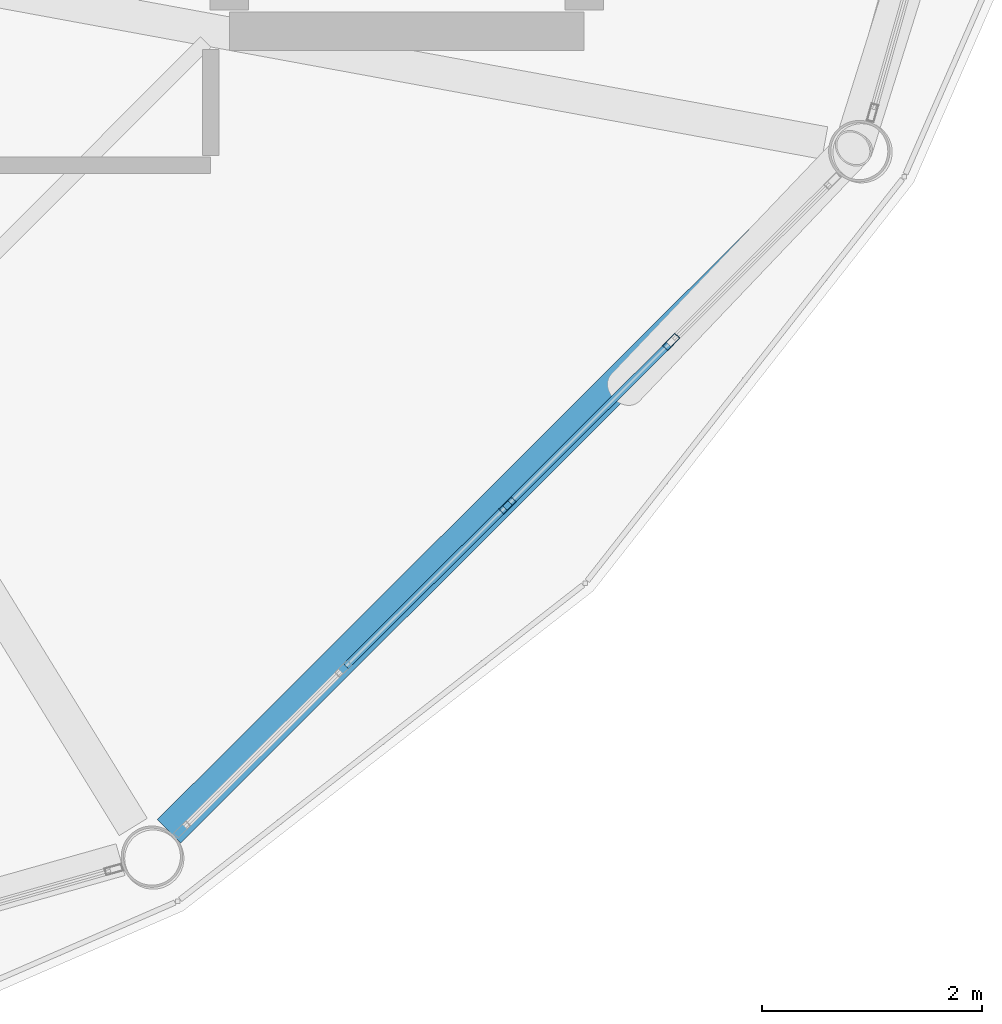
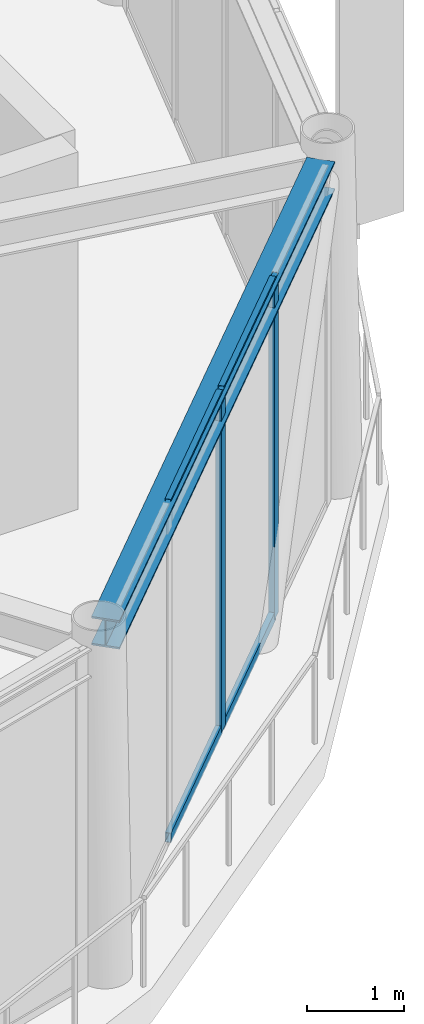
# One storey, part 9 of 26: 6 members, 1 beam, 1 element without a shape of its own.
"""IFC4 building model written with IfcOpenShell, lengths in metres."""

from ifc_helpers import new_model, si_unit, direction, frame, origin, origin_2d, place, context, subcontext, project, spatial, hollow_rectangle, i_section, extrude, material, layer, layer_set, material_profile, profile_set, type_object, element, aggregate, save


model = new_model("IFC4")

# Units and contexts
model_context = context("Model", 3, precision=1e-05, world=origin(), true_north=direction((0.0, 1.0)))
body_context = subcontext(model_context, "Body", "Model", "MODEL_VIEW")
ifc_project = project(units=[si_unit("LENGTHUNIT", "METRE"), si_unit("AREAUNIT", "SQUARE_METRE"), si_unit("VOLUMEUNIT", "CUBIC_METRE"), si_unit("PLANEANGLEUNIT", "RADIAN"), si_unit("MASSUNIT", "GRAM", prefix="KILO")], contexts=[model_context])

# Site, building, storey
site_placement = place(None, origin())
site = spatial("IfcSite", under=ifc_project, at=site_placement, CompositionType="ELEMENT")
building_placement = place(site_placement, origin())
building = spatial("IfcBuilding", under=site, at=building_placement, Name="Varnakorn Sky Granary", CompositionType="ELEMENT")
storey_placement = place(building_placement, frame((0.0, 0.0, 289.5)))
storey = spatial("IfcBuildingStorey", under=building, at=storey_placement, Name="L74", CompositionType="ELEMENT", Elevation=289.5)

# Beam
ifc_material_1 = material(Name="Steel S355JR", Category="steel")
ifc_material_profile_1 = material_profile(ifc_material_1, i_section(OverallWidth=0.300048828125, OverallDepth=0.360107421875, WebThickness=0.012451171875, FlangeThickness=0.0224609375, at=origin_2d()), Name="HE 360 B")
ifc_profile_set_1 = profile_set([ifc_material_profile_1], Name="Steel S355JR")
beam_type = type_object("IfcBeamType", Name="BM-SPD-Z5", PredefinedType="SPANDREL", material=ifc_profile_set_1)
beam_placement = place(storey_placement, frame((13.8017578125, -14.96337890625, 4.080078125), z_axis=(0.7078214775, 0.706391361774, 0.0), x_axis=(-0.706391361774, 0.7078214775, 0.0)))
element("IfcBeam", 1, at=beam_placement, inside=storey, type_object=beam_type, Name="Perimeter Spandrel Ring Beam RB11 L74", PredefinedType="SPANDREL", context=body_context, shape_type="SweptSolid", body=[
    extrude(i_section(OverallWidth=0.300048828125, OverallDepth=0.360107421875, WebThickness=0.012451171875, FlangeThickness=0.0224609375, at=origin_2d()), origin(), (0.0, 0.0, 1.0), 8.53564453125),
])

# Curtain wall, members
ifc_material_2 = material(Name="Anodised Bronze Aluminium Alloy 6063-T6", Category="aluminium")
ifc_layer = layer(ifc_material_2, 0.159912109375, Name="Anodised Bronze Aluminium Alloy 6063-T6")
ifc_layer_set = layer_set([ifc_layer], Name="Anodised Bronze Aluminium Alloy 6063-T6")
curtain_wall_type = type_object("IfcCurtainWallType", Name="CW-OFF-1", PredefinedType="USERDEFINED", material=ifc_layer_set)
curtain_wall_placement = place(storey_placement, origin())
curtain_wall = element("IfcCurtainWall", 2, at=curtain_wall_placement, inside=storey, type_object=curtain_wall_type, Name="Unitised Curtain Wall CW6 CW-L74-B11", ObjectType="CURTAIN WALL", PredefinedType="USERDEFINED")
ifc_material_profile_2 = material_profile(ifc_material_2, hollow_rectangle(XDim=0.06494140625, YDim=0.159912109375, WallThickness=0.00341796875, at=origin_2d()), Name="ALU MULL 65x160")
ifc_profile_set_2 = profile_set([ifc_material_profile_2], Name="Anodised Bronze Aluminium Alloy 6063-T6")
member_type_1 = type_object("IfcMemberType", Name="CW-OFF-1-MULL", PredefinedType="MULLION", material=ifc_profile_set_2)
member_1_placement = place(storey_placement, frame((18.373046875, -10.509765625, 0.0), z_axis=(0.0, 0.0, 1.0), x_axis=(0.706103251086, -0.708108889088, 0.0)))
member_1 = element("IfcMember", 3, at=member_1_placement, type_object=member_type_1, Name="CW6 mullion 2", PredefinedType="MULLION", context=body_context, shape_type="SweptSolid", body=[
    extrude(hollow_rectangle(XDim=0.06494140625, YDim=0.159912109375, WallThickness=0.00341796875, at=origin_2d()), origin(), (0.0, 0.0, 1.0), 4.260009765625),
])
member_2_placement = place(storey_placement, frame((16.88134765625, -11.9970703125, 0.0), z_axis=(0.0, 0.0, 1.0), x_axis=(0.706103251086, -0.708108889088, 0.0)))
member_2 = element("IfcMember", 4, at=member_2_placement, type_object=member_type_1, Name="CW6 mullion 3", PredefinedType="MULLION", context=body_context, shape_type="SweptSolid", body=[
    extrude(hollow_rectangle(XDim=0.06494140625, YDim=0.159912109375, WallThickness=0.00341796875, at=origin_2d()), origin(), (0.0, 0.0, 1.0), 4.260009765625),
])
ifc_material_profile_3 = material_profile(ifc_material_2, hollow_rectangle(XDim=0.06494140625, YDim=0.1201171875, WallThickness=0.00341796875, at=origin_2d()), Name="ALU TRAN 65x120")
ifc_profile_set_3 = profile_set([ifc_material_profile_3], Name="Anodised Bronze Aluminium Alloy 6063-T6")
member_type_2 = type_object("IfcMemberType", Name="CW-OFF-1-TRAN", PredefinedType="USERDEFINED", material=ifc_profile_set_3)
member_3_placement = place(storey_placement, frame((18.349853515625, -10.53271484375, 0.032470703125), z_axis=(-0.70812260885, -0.706089492087, 0.0), x_axis=(0.706089492087, -0.70812260885, 0.0)))
member_3 = element("IfcMember", 5, at=member_3_placement, type_object=member_type_2, Name="CW6 transom 2.1", ObjectType="TRANSOM", PredefinedType="USERDEFINED", context=body_context, shape_type="SweptSolid", body=[
    extrude(hollow_rectangle(XDim=0.06494140625, YDim=0.1201171875, WallThickness=0.00341796875, at=origin_2d()), origin(), (0.0, 0.0, 1.0), 2.04150390625),
])
member_4_placement = place(storey_placement, frame((18.349853515625, -10.53271484375, 4.2275390625), z_axis=(-0.70812260885, -0.706089492087, 0.0), x_axis=(0.706089492087, -0.70812260885, 0.0)))
member_4 = element("IfcMember", 6, at=member_4_placement, type_object=member_type_2, Name="CW6 transom 2.2", ObjectType="TRANSOM", PredefinedType="USERDEFINED", context=body_context, shape_type="SweptSolid", body=[
    extrude(hollow_rectangle(XDim=0.06494140625, YDim=0.1201171875, WallThickness=0.00341796875, at=origin_2d()), origin(), (0.0, 0.0, 1.0), 2.04150390625),
])
member_5_placement = place(storey_placement, frame((16.858154296875, -12.02001953125, 0.032470703125), z_axis=(-0.708062814055, -0.706149453977, 0.0), x_axis=(0.706149453977, -0.708062814055, 0.0)))
member_5 = element("IfcMember", 7, at=member_5_placement, type_object=member_type_2, Name="CW6 transom 3.1", ObjectType="TRANSOM", PredefinedType="USERDEFINED", context=body_context, shape_type="SweptSolid", body=[
    extrude(hollow_rectangle(XDim=0.06494140625, YDim=0.1201171875, WallThickness=0.00341796875, at=origin_2d()), origin(), (0.0, 0.0, 1.0), 2.04150390625),
])
member_6_placement = place(storey_placement, frame((16.858154296875, -12.02001953125, 4.2275390625), z_axis=(-0.708062814055, -0.706149453977, 0.0), x_axis=(0.706149453977, -0.708062814055, 0.0)))
member_6 = element("IfcMember", 8, at=member_6_placement, type_object=member_type_2, Name="CW6 transom 3.2", ObjectType="TRANSOM", PredefinedType="USERDEFINED", context=body_context, shape_type="SweptSolid", body=[
    extrude(hollow_rectangle(XDim=0.06494140625, YDim=0.1201171875, WallThickness=0.00341796875, at=origin_2d()), origin(), (0.0, 0.0, 1.0), 2.04150390625),
])
aggregate(curtain_wall, [member_1, member_2, member_3, member_4, member_5, member_6])

save(model, "model.ifc")
